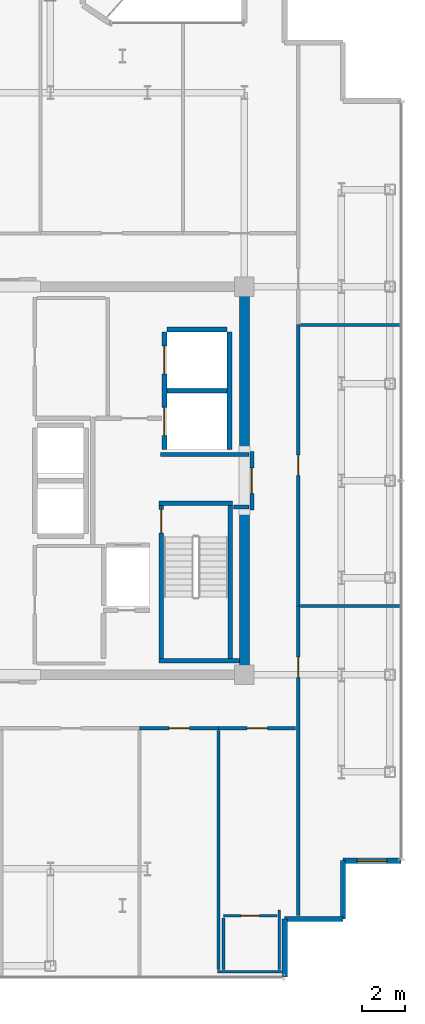
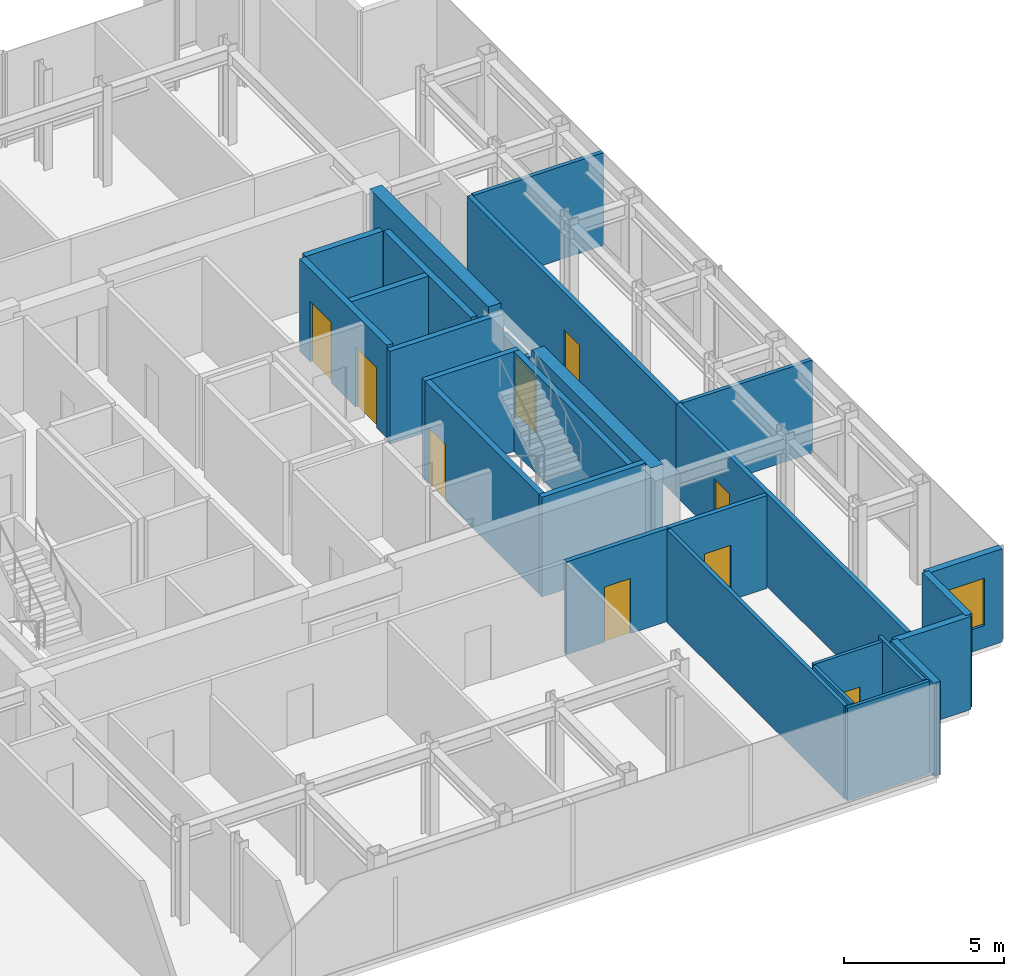
# One storey, part 15 of 18: 28 walls, 9 doors, 1 window, 10 openings.
"""IFC4 building model written with IfcOpenShell, lengths in metres."""

from ifc_helpers import new_model, si_unit, direction, frame, frame_2d, origin, place, context, subcontext, project, spatial, rectangle, extrude, source, transform, mapped, material, layer, layer_set, type_object, element, fill, save


model = new_model("IFC4")

# Units and contexts
model_context = context("Model", 3, precision=1e-05, world=origin(), true_north=direction((0.0, 1.0)))
body_context = subcontext(model_context, "Body", "Model", "MODEL_VIEW")
ifc_project = project(units=[si_unit("LENGTHUNIT", "METRE"), si_unit("AREAUNIT", "SQUARE_METRE"), si_unit("VOLUMEUNIT", "CUBIC_METRE"), si_unit("PLANEANGLEUNIT", "RADIAN"), si_unit("MASSUNIT", "GRAM", prefix="KILO")], contexts=[model_context])

# Site, building, storey
site_placement = place(None, origin())
site = spatial("IfcSite", under=ifc_project, at=site_placement, CompositionType="ELEMENT")
building_placement = place(site_placement, origin())
building = spatial("IfcBuilding", under=site, at=building_placement, Name="Nefas-Gora Pilgrimage Tower", CompositionType="ELEMENT")
storey_placement = place(building_placement, frame((0.0, 0.0, 306.39990234375)))
storey = spatial("IfcBuildingStorey", under=building, at=storey_placement, Name="L77", CompositionType="ELEMENT", Elevation=306.39990234375)

# Walls
ifc_material_1 = material(Name="Concrete C50/60", Category="concrete")
ifc_layer_1 = layer(ifc_material_1, 0.449951171875)
ifc_layer_set_1 = layer_set([ifc_layer_1], Name="Concrete C50/60")
wall_type_1 = type_object("IfcWallType", Name="SW-CORE-450", PredefinedType="SHEAR", material=ifc_layer_set_1)
shared_shape_1 = source(origin(), body_context, "Body", "SweptSolid", [
    extrude(rectangle(XDim=7.4248046875, YDim=0.449951171875, at=frame_2d((3.71240234375, 0.0))), origin(), (0.0, 0.0, 1.0), 3.800048828125),
])
for number, where, z_axis, x_axis, name in (
    (1, (11.25, -8.77490234375, 0.0), (0.0, 0.0, 1.0), (0.0, 1.0, 0.0), "L77 Core Shear Wall E-South"),
    (2, (11.25, 1.35009765625, 0.0), (0.0, 0.0, 1.0), (0.0, 1.0, 0.0), "L77 Core Shear Wall E-North"),
):
    element("IfcWall", number, at=place(storey_placement, frame(where, z_axis=z_axis, x_axis=x_axis)), inside=storey, type_object=wall_type_1, Name=name, PredefinedType="SHEAR", context=body_context, shape_type="MappedRepresentation", body=[
        mapped(shared_shape_1, transform((0.0, 0.0, 0.0), x_axis=(1.0, 0.0, 0.0), y_axis=(0.0, 1.0, 0.0), z_axis=(0.0, 0.0, 1.0), scale=1.0)),
    ])

# Wall, opening, window
ifc_material_2 = material(Name="Precast concrete C45/55", Category="concrete")
ifc_layer_2 = layer(ifc_material_2, 0.239990234375)
ifc_layer_set_2 = layer_set([ifc_layer_2], Name="Precast concrete C45/55")
wall_type_2 = type_object("IfcWallType", Name="EW-SERR-240", PredefinedType="SHEAR", material=ifc_layer_set_2)
shared_shape_2 = source(origin(), body_context, "Body", "SweptSolid", [
    extrude(rectangle(XDim=2.699951171875, YDim=0.239990234375, at=frame_2d((1.35009765625, 0.0))), origin(), (0.0, 0.0, 1.0), 3.550048828125),
])
wall_1_placement = place(storey_placement, frame((15.820068359375, -17.6201171875, 0.0), z_axis=(0.0, 0.0, 1.0), x_axis=(1.0, 0.0, 0.0)))
wall_1 = element("IfcWall", 3, at=wall_1_placement, inside=storey, type_object=wall_type_2, Name="L77 Serrated Corner Shear Pier Wall 1", PredefinedType="SHEAR", context=body_context, shape_type="MappedRepresentation", body=[
    mapped(shared_shape_2, transform((0.0, 0.0, 0.0), x_axis=(1.0, 0.0, 0.0), y_axis=(0.0, 1.0, 0.0), z_axis=(0.0, 0.0, 1.0), scale=1.0)),
])
opening_1_placement = place(wall_1_placement, frame((0.64990234375, 0.0, 0.85009765625)))
opening_1 = element("IfcOpeningElement", 4, at=opening_1_placement, cuts=wall_1, Name="Opening W-V2", PredefinedType="OPENING", context=body_context, shape_type="SweptSolid", body=[
    extrude(rectangle(XDim=1.39990234375, YDim=1.800048828125, at=frame_2d((0.699951171875, 0.89990234375))), frame((0.0, 0.1298828125, 0.0), z_axis=(0.0, -1.0, 0.0), x_axis=(1.0, 0.0, 0.0)), (0.0, 0.0, 1.0), 0.260009765625),
])
ifc_material_3 = material(Name="Dark ceramic-fritted operable aluminium-glass window", Category="aluminium")
window_type = type_object("IfcWindowType", Name="WIN-VENT-1400x1800", PartitioningType="SINGLE_PANEL", PredefinedType="WINDOW", material=ifc_material_3)
shared_shape_3 = source(origin(), body_context, "Body", "SweptSolid", [
    extrude(rectangle(XDim=1.39990234375, YDim=1.800048828125, at=frame_2d((0.699951171875, 0.89990234375))), frame((0.0, 0.030029296875, 0.0), z_axis=(0.0, -1.0, 0.0), x_axis=(1.0, 0.0, 0.0)), (0.0, 0.0, 1.0), 0.06005859375),
])
window_placement = place(opening_1_placement, origin())
window = element("IfcWindow", 5, at=window_placement, inside=storey, type_object=window_type, Name="L77 Operable Parallel-Outswing Window 1", OverallHeight=1.800048828125, OverallWidth=1.39990234375, PartitioningType="SINGLE_PANEL", PredefinedType="WINDOW", context=body_context, shape_type="MappedRepresentation", body=[
    mapped(shared_shape_3, transform((0.0, 0.0, 0.0), x_axis=(1.0, 0.0, 0.0), y_axis=(0.0, 1.0, 0.0), z_axis=(0.0, 0.0, 1.0), scale=1.0)),
])
fill(opening_1, window)

# Walls
for number, where, z_axis, x_axis, name in (
    (6, (13.1201171875, -23.02001953125, 0.0), (0.0, 0.0, 1.0), (0.0, 1.0, 0.0), "L77 Serrated Corner Shear Pier Wall 25"),
    (7, (13.1201171875, -20.320068359375, 0.0), (0.0, 0.0, 1.0), (1.0, 0.0, 0.0), "L77 Serrated Corner Shear Pier Wall 26"),
    (8, (15.820068359375, -20.320068359375, 0.0), (0.0, 0.0, 1.0), (0.0, 1.0, 0.0), "L77 Serrated Corner Shear Pier Wall 27"),
):
    element("IfcWall", number, at=place(storey_placement, frame(where, z_axis=z_axis, x_axis=x_axis)), inside=storey, type_object=wall_type_2, Name=name, PredefinedType="SHEAR", context=body_context, shape_type="MappedRepresentation", body=[
        mapped(shared_shape_2, transform((0.0, 0.0, 0.0), x_axis=(1.0, 0.0, 0.0), y_axis=(0.0, 1.0, 0.0), z_axis=(0.0, 0.0, 1.0), scale=1.0)),
    ])
ifc_material_4 = material(Name="Concrete C45/55", Category="concrete")
ifc_layer_3 = layer(ifc_material_4, 0.199951171875)
ifc_layer_set_3 = layer_set([ifc_layer_3], Name="Concrete C45/55")
wall_type_3 = type_object("IfcWallType", Name="IW-STAIR-200", PredefinedType="SOLIDWALL", material=ifc_layer_set_3)
shared_shape_4 = source(origin(), body_context, "Body", "SweptSolid", [
    extrude(rectangle(XDim=3.39990234375, YDim=0.199951171875, at=frame_2d((1.699951171875, 0.0))), origin(), (0.0, 0.0, 1.0), 3.800048828125),
])
wall_2_placement = place(storey_placement, frame((7.300048828125, -1.050048828125, 0.0), z_axis=(0.0, 0.0, 1.0), x_axis=(1.0, 0.0, 0.0)))
element("IfcWall", 9, at=wall_2_placement, inside=storey, type_object=wall_type_3, Name="L77 Stairwell Shear Wall ST-02-near", PredefinedType="SOLIDWALL", context=body_context, shape_type="MappedRepresentation", body=[
    mapped(shared_shape_4, transform((0.0, 0.0, 0.0), x_axis=(1.0, 0.0, 0.0), y_axis=(0.0, 1.0, 0.0), z_axis=(0.0, 0.0, 1.0), scale=1.0)),
])

# Wall, opening, door
shared_shape_5 = source(origin(), body_context, "Body", "SweptSolid", [
    extrude(rectangle(XDim=7.10009765625, YDim=0.199951171875, at=frame_2d((3.550048828125, 0.0))), origin(), (0.0, 0.0, 1.0), 3.800048828125),
])
wall_3_placement = place(storey_placement, frame((7.39990234375, -1.14990234375, 0.0), z_axis=(0.0, 0.0, 1.0), x_axis=(0.0, -1.0, 0.0)))
wall_3 = element("IfcWall", 10, at=wall_3_placement, inside=storey, type_object=wall_type_3, Name="L77 Stairwell Shear Wall ST-02-left", PredefinedType="SOLIDWALL", context=body_context, shape_type="MappedRepresentation", body=[
    mapped(shared_shape_5, transform((0.0, 0.0, 0.0), x_axis=(1.0, 0.0, 0.0), y_axis=(0.0, 1.0, 0.0), z_axis=(0.0, 0.0, 1.0), scale=1.0)),
])
opening_2_placement = place(wall_3_placement, frame((0.179931640625, 0.0, 0.0)))
opening_2 = element("IfcOpeningElement", 11, at=opening_2_placement, cuts=wall_3, Name="Opening ID-ST1", PredefinedType="OPENING", context=body_context, shape_type="SweptSolid", body=[
    extrude(rectangle(XDim=1.10009765625, YDim=2.14990234375, at=frame_2d((0.550048828125, 1.074951171875))), frame((0.0, 0.10986328125, 0.0), z_axis=(0.0, -1.0, 0.0), x_axis=(1.0, 0.0, 0.0)), (0.0, 0.0, 1.0), 0.219970703125),
])
ifc_material_5 = material(Name="Painted galvanised steel fire stair door", Category="steel")
door_type_1 = type_object("IfcDoorType", Name="DR-INT-STAIR-1100", OperationType="NOTDEFINED", PredefinedType="DOOR", material=ifc_material_5)
shared_shape_6 = source(origin(), body_context, "Body", "SweptSolid", [
    extrude(rectangle(XDim=1.10009765625, YDim=2.14990234375, at=frame_2d((0.550048828125, 1.074951171875))), frame((0.0, 0.02490234375, 0.0), z_axis=(0.0, -1.0, 0.0), x_axis=(1.0, 0.0, 0.0)), (0.0, 0.0, 1.0), 0.050048828125),
])
door_1_placement = place(opening_2_placement, origin())
door_1 = element("IfcDoor", 12, at=door_1_placement, inside=storey, type_object=door_type_1, Name="L77 Protected Exit Stair Door ST-02", OperationType="SINGLE_SWING_RIGHT", OverallHeight=2.14990234375, OverallWidth=1.10009765625, PredefinedType="DOOR", context=body_context, shape_type="MappedRepresentation", body=[
    mapped(shared_shape_6, transform((0.0, 0.0, 0.0), x_axis=(1.0, 0.0, 0.0), y_axis=(0.0, 1.0, 0.0), z_axis=(0.0, 0.0, 1.0), scale=1.0)),
])
fill(opening_2, door_1)

# Walls
wall_4_placement = place(storey_placement, frame((10.60009765625, -1.14990234375, 0.0), z_axis=(0.0, 0.0, 1.0), x_axis=(0.0, -1.0, 0.0)))
element("IfcWall", 13, at=wall_4_placement, inside=storey, type_object=wall_type_3, Name="L77 Stairwell Shear Wall ST-02-right", PredefinedType="SOLIDWALL", context=body_context, shape_type="MappedRepresentation", body=[
    mapped(shared_shape_5, transform((0.0, 0.0, 0.0), x_axis=(1.0, 0.0, 0.0), y_axis=(0.0, 1.0, 0.0), z_axis=(0.0, 0.0, 1.0), scale=1.0)),
])
shared_shape_7 = source(origin(), body_context, "Body", "SweptSolid", [
    extrude(rectangle(XDim=3.72998046875, YDim=0.199951171875, at=frame_2d((1.864990234375, 0.0))), origin(), (0.0, 0.0, 1.0), 3.800048828125),
])
wall_5_placement = place(storey_placement, frame((7.300048828125, -8.35009765625, 0.0), z_axis=(0.0, 0.0, 1.0), x_axis=(1.0, 0.0, 0.0)))
element("IfcWall", 14, at=wall_5_placement, inside=storey, type_object=wall_type_3, Name="L77 Stairwell Shear Wall ST-02-far", PredefinedType="SOLIDWALL", context=body_context, shape_type="MappedRepresentation", body=[
    mapped(shared_shape_7, transform((0.0, 0.0, 0.0), x_axis=(1.0, 0.0, 0.0), y_axis=(0.0, 1.0, 0.0), z_axis=(0.0, 0.0, 1.0), scale=1.0)),
])

# Wall, openings, doors
ifc_material_6 = material(Name="Concrete C40/50", Category="concrete")
ifc_layer_4 = layer(ifc_material_6, 0.219970703125)
ifc_layer_set_4 = layer_set([ifc_layer_4], Name="Concrete C40/50")
wall_type_4 = type_object("IfcWallType", Name="IW-SHAFT-220", PredefinedType="SOLIDWALL", material=ifc_layer_set_4)
shared_shape_8 = source(origin(), body_context, "Body", "SweptSolid", [
    extrude(rectangle(XDim=5.449951171875, YDim=0.219970703125, at=frame_2d((2.72509765625, 0.0))), origin(), (0.0, 0.0, 1.0), 3.53515625),
])
wall_6_placement = place(storey_placement, frame((7.5400390625, 6.89990234375, 0.0), z_axis=(0.0, 0.0, 1.0), x_axis=(0.0, -1.0, 0.0)))
wall_6 = element("IfcWall", 15, at=wall_6_placement, inside=storey, type_object=wall_type_4, Name="L77 Hoistway Wall SL-01-02-W", PredefinedType="SOLIDWALL", context=body_context, shape_type="MappedRepresentation", body=[
    mapped(shared_shape_8, transform((0.0, 0.0, 0.0), x_axis=(1.0, 0.0, 0.0), y_axis=(0.0, 1.0, 0.0), z_axis=(0.0, 0.0, 1.0), scale=1.0)),
])
opening_3_placement = place(wall_6_placement, frame((3.5, 0.0, 0.0)))
opening_3 = element("IfcOpeningElement", 16, at=opening_3_placement, cuts=wall_6, Name="Opening LD-SV", PredefinedType="OPENING", context=body_context, shape_type="SweptSolid", body=[
    extrude(rectangle(XDim=1.300048828125, YDim=2.300048828125, at=frame_2d((0.64990234375, 1.14990234375))), frame((0.0, 0.119873046875, 0.0), z_axis=(0.0, -1.0, 0.0), x_axis=(1.0, 0.0, 0.0)), (0.0, 0.0, 1.0), 0.239990234375),
])
opening_4_placement = place(wall_6_placement, frame((0.64990234375, 0.0, 0.0)))
opening_4 = element("IfcOpeningElement", 17, at=opening_4_placement, cuts=wall_6, Name="Opening LD-SV", PredefinedType="OPENING", context=body_context, shape_type="SweptSolid", body=[
    extrude(rectangle(XDim=1.300048828125, YDim=2.300048828125, at=frame_2d((0.64990234375, 1.14990234375))), frame((0.0, 0.119873046875, 0.0), z_axis=(0.0, -1.0, 0.0), x_axis=(1.0, 0.0, 0.0)), (0.0, 0.0, 1.0), 0.239990234375),
])
ifc_material_7 = material(Name="Heavy goods sliding lift landing door")
door_type_2 = type_object("IfcDoorType", Name="DR-LIFT-SERV-1300", OperationType="SLIDING_TO_RIGHT", PredefinedType="DOOR", material=ifc_material_7)
shared_shape_9 = source(origin(), body_context, "Body", "SweptSolid", [
    extrude(rectangle(XDim=1.300048828125, YDim=2.300048828125, at=frame_2d((0.64990234375, 1.14990234375))), frame((0.0, 0.02490234375, 0.0), z_axis=(0.0, -1.0, 0.0), x_axis=(1.0, 0.0, 0.0)), (0.0, 0.0, 1.0), 0.050048828125),
])
door_2_placement = place(opening_3_placement, origin())
door_2 = element("IfcDoor", 18, at=door_2_placement, inside=storey, type_object=door_type_2, Name="L77 Sliding Lift Landing Door SL-01", OperationType="SLIDING_TO_RIGHT", OverallHeight=2.300048828125, OverallWidth=1.300048828125, PredefinedType="DOOR", context=body_context, shape_type="MappedRepresentation", body=[
    mapped(shared_shape_9, transform((0.0, 0.0, 0.0), x_axis=(1.0, 0.0, 0.0), y_axis=(0.0, 1.0, 0.0), z_axis=(0.0, 0.0, 1.0), scale=1.0)),
])
fill(opening_3, door_2)
door_3_placement = place(opening_4_placement, origin())
door_3 = element("IfcDoor", 19, at=door_3_placement, inside=storey, type_object=door_type_2, Name="L77 Sliding Lift Landing Door SL-02", OperationType="SLIDING_TO_RIGHT", OverallHeight=2.300048828125, OverallWidth=1.300048828125, PredefinedType="DOOR", context=body_context, shape_type="MappedRepresentation", body=[
    mapped(shared_shape_9, transform((0.0, 0.0, 0.0), x_axis=(1.0, 0.0, 0.0), y_axis=(0.0, 1.0, 0.0), z_axis=(0.0, 0.0, 1.0), scale=1.0)),
])
fill(opening_4, door_3)

# Walls
wall_7_placement = place(storey_placement, frame((10.56005859375, 1.449951171875, 0.0), z_axis=(0.0, 0.0, 1.0), x_axis=(0.0, 1.0, 0.0)))
element("IfcWall", 20, at=wall_7_placement, inside=storey, type_object=wall_type_4, Name="L77 Hoistway Wall SL-01-02-E", PredefinedType="SOLIDWALL", context=body_context, shape_type="MappedRepresentation", body=[
    mapped(shared_shape_8, transform((0.0, 0.0, 0.0), x_axis=(1.0, 0.0, 0.0), y_axis=(0.0, 1.0, 0.0), z_axis=(0.0, 0.0, 1.0), scale=1.0)),
])
shared_shape_10 = source(origin(), body_context, "Body", "SweptSolid", [
    extrude(rectangle(XDim=2.780029296875, YDim=0.219970703125, at=frame_2d((1.39013671875, 0.0))), origin(), (0.0, 0.0, 1.0), 3.53515625),
])
for number, where, z_axis, x_axis, name in (
    (21, (7.659912109375, 4.175048828125, 0.0), (0.0, 0.0, 1.0), (1.0, 0.0, 0.0), "L77 Hoistway Wall SL-01-02-DIV"),
    (22, (10.43994140625, 7.010009765625, 0.0), (0.0, 0.0, 1.0), (-1.0, 0.0, 0.0), "L77 Hoistway Wall SL-02-N"),
):
    element("IfcWall", number, at=place(storey_placement, frame(where, z_axis=z_axis, x_axis=x_axis)), inside=storey, type_object=wall_type_4, Name=name, PredefinedType="SOLIDWALL", context=body_context, shape_type="MappedRepresentation", body=[
        mapped(shared_shape_10, transform((0.0, 0.0, 0.0), x_axis=(1.0, 0.0, 0.0), y_axis=(0.0, 1.0, 0.0), z_axis=(0.0, 0.0, 1.0), scale=1.0)),
    ])
ifc_material_8 = material(Name="Gypsum fire-rated shaftwall")
ifc_layer_5 = layer(ifc_material_8, 0.199951171875)
ifc_layer_set_5 = layer_set([ifc_layer_5], Name="Gypsum fire-rated shaftwall")
wall_type_5 = type_object("IfcWallType", Name="IW-FFLOB-200", PredefinedType="PARTITIONING", material=ifc_layer_set_5)
shared_shape_11 = source(origin(), body_context, "Body", "SweptSolid", [
    extrude(rectangle(XDim=0.719970703125, YDim=0.199951171875, at=frame_2d((0.35986328125, 0.0))), origin(), (0.0, 0.0, 1.0), 3.53515625),
])
wall_8_placement = place(storey_placement, frame((10.739990234375, -1.219970703125, 0.0), z_axis=(0.0, 0.0, 1.0), x_axis=(1.0, 0.0, 0.0)))
element("IfcWall", 23, at=wall_8_placement, inside=storey, type_object=wall_type_5, Name="L77 FF Lobby East Throat S Wall 15", PredefinedType="PARTITIONING", context=body_context, shape_type="MappedRepresentation", body=[
    mapped(shared_shape_11, transform((0.0, 0.0, 0.0), x_axis=(1.0, 0.0, 0.0), y_axis=(0.0, 1.0, 0.0), z_axis=(0.0, 0.0, 1.0), scale=1.0)),
])
shared_shape_12 = source(origin(), body_context, "Body", "SweptSolid", [
    extrude(rectangle(XDim=4.10986328125, YDim=0.199951171875, at=frame_2d((2.054931640625, 0.0))), origin(), (0.0, 0.0, 1.0), 3.53515625),
])
wall_9_placement = place(storey_placement, frame((7.35009765625, 1.219970703125, 0.0), z_axis=(0.0, 0.0, 1.0), x_axis=(1.0, 0.0, 0.0)))
element("IfcWall", 24, at=wall_9_placement, inside=storey, type_object=wall_type_5, Name="L77 FF Lobby East Throat N Wall 14", PredefinedType="PARTITIONING", context=body_context, shape_type="MappedRepresentation", body=[
    mapped(shared_shape_12, transform((0.0, 0.0, 0.0), x_axis=(1.0, 0.0, 0.0), y_axis=(0.0, 1.0, 0.0), z_axis=(0.0, 0.0, 1.0), scale=1.0)),
])

# Wall, opening, door
ifc_material_9 = material(Name="Gypsum acoustic stud partition")
ifc_layer_6 = layer(ifc_material_9, 0.159912109375)
ifc_layer_set_6 = layer_set([ifc_layer_6], Name="Gypsum acoustic stud partition")
wall_type_6 = type_object("IfcWallType", Name="IW-CORR-160", PredefinedType="PARTITIONING", material=ifc_layer_set_6)
shared_shape_13 = source(origin(), body_context, "Body", "SweptSolid", [
    extrude(rectangle(XDim=3.6650390625, YDim=0.159912109375, at=frame_2d((1.83251953125, 0.0))), origin(), (0.0, 0.0, 1.0), 3.53515625),
])
wall_10_placement = place(storey_placement, frame((6.39501953125, -11.469970703125, 0.0), z_axis=(0.0, 0.0, 1.0), x_axis=(1.0, 0.0, 0.0)))
wall_10 = element("IfcWall", 25, at=wall_10_placement, inside=storey, type_object=wall_type_6, Name="L77 Pilgrim Contemplative Lounge Partition Wall 71", PredefinedType="PARTITIONING", context=body_context, shape_type="MappedRepresentation", body=[
    mapped(shared_shape_13, transform((0.0, 0.0, 0.0), x_axis=(1.0, 0.0, 0.0), y_axis=(0.0, 1.0, 0.0), z_axis=(0.0, 0.0, 1.0), scale=1.0)),
])
opening_5_placement = place(wall_10_placement, frame((1.357421875, 0.0, 0.0)))
opening_5 = element("IfcOpeningElement", 26, at=opening_5_placement, cuts=wall_10, Name="Opening ID-GR1", PredefinedType="OPENING", context=body_context, shape_type="SweptSolid", body=[
    extrude(rectangle(XDim=0.949951171875, YDim=2.10009765625, at=frame_2d((0.47509765625, 1.050048828125))), frame((0.0, 0.08984375, 0.0), z_axis=(0.0, -1.0, 0.0), x_axis=(1.0, 0.0, 0.0)), (0.0, 0.0, 1.0), 0.179931640625),
])
ifc_material_10 = material(Name="Solid core oak fire-rated guest entrance door")
door_type_3 = type_object("IfcDoorType", Name="DR-INT-GUEST-950", OperationType="NOTDEFINED", PredefinedType="DOOR", material=ifc_material_10)
shared_shape_14 = source(origin(), body_context, "Body", "SweptSolid", [
    extrude(rectangle(XDim=0.949951171875, YDim=2.10009765625, at=frame_2d((0.47509765625, 1.050048828125))), frame((0.0, 0.02490234375, 0.0), z_axis=(0.0, -1.0, 0.0), x_axis=(1.0, 0.0, 0.0)), (0.0, 0.0, 1.0), 0.050048828125),
])
door_4_placement = place(opening_5_placement, origin())
door_4 = element("IfcDoor", 27, at=door_4_placement, inside=storey, type_object=door_type_3, Name="L77 Pilgrim Contemplative Lounge Door 32", OperationType="SINGLE_SWING_RIGHT", OverallHeight=2.10009765625, OverallWidth=0.949951171875, PredefinedType="DOOR", context=body_context, shape_type="MappedRepresentation", body=[
    mapped(shared_shape_14, transform((0.0, 0.0, 0.0), x_axis=(1.0, 0.0, 0.0), y_axis=(0.0, 1.0, 0.0), z_axis=(0.0, 0.0, 1.0), scale=1.0)),
])
fill(opening_5, door_4)

shared_shape_15 = source(origin(), body_context, "Body", "SweptSolid", [
    extrude(rectangle(XDim=3.56005859375, YDim=0.159912109375, at=frame_2d((1.780029296875, 0.0))), origin(), (0.0, 0.0, 1.0), 3.53515625),
])
wall_11_placement = place(storey_placement, frame((10.06005859375, -11.469970703125, 0.0), z_axis=(0.0, 0.0, 1.0), x_axis=(1.0, 0.0, 0.0)))
wall_11 = element("IfcWall", 28, at=wall_11_placement, inside=storey, type_object=wall_type_6, Name="L77 Pilgrim Sanctuary Suite Partition Wall 73", PredefinedType="PARTITIONING", context=body_context, shape_type="MappedRepresentation", body=[
    mapped(shared_shape_15, transform((0.0, 0.0, 0.0), x_axis=(1.0, 0.0, 0.0), y_axis=(0.0, 1.0, 0.0), z_axis=(0.0, 0.0, 1.0), scale=1.0)),
])
opening_6_placement = place(wall_11_placement, frame((1.304931640625, 0.0, 0.0)))
opening_6 = element("IfcOpeningElement", 29, at=opening_6_placement, cuts=wall_11, Name="Opening ID-GR1", PredefinedType="OPENING", context=body_context, shape_type="SweptSolid", body=[
    extrude(rectangle(XDim=0.949951171875, YDim=2.10009765625, at=frame_2d((0.47509765625, 1.050048828125))), frame((0.0, 0.08984375, 0.0), z_axis=(0.0, -1.0, 0.0), x_axis=(1.0, 0.0, 0.0)), (0.0, 0.0, 1.0), 0.179931640625),
])
door_5_placement = place(opening_6_placement, origin())
door_5 = element("IfcDoor", 30, at=door_5_placement, inside=storey, type_object=door_type_3, Name="L77 Pilgrim Sanctuary Suite Door 33", OperationType="SINGLE_SWING_LEFT", OverallHeight=2.10009765625, OverallWidth=0.949951171875, PredefinedType="DOOR", context=body_context, shape_type="MappedRepresentation", body=[
    mapped(shared_shape_14, transform((0.0, 0.0, 0.0), x_axis=(1.0, 0.0, 0.0), y_axis=(0.0, 1.0, 0.0), z_axis=(0.0, 0.0, 1.0), scale=1.0)),
])
fill(opening_6, door_5)

shared_shape_16 = source(origin(), body_context, "Body", "SweptSolid", [
    extrude(rectangle(XDim=2.7001953125, YDim=0.199951171875, at=frame_2d((1.35009765625, 0.0))), origin(), (0.0, 0.0, 1.0), 2.625),
])
wall_12_placement = place(storey_placement, frame((11.60009765625, -1.35009765625, 0.0), z_axis=(0.0, 0.0, 1.0), x_axis=(0.0, 1.0, 0.0)))
wall_12 = element("IfcWall", 31, at=wall_12_placement, inside=storey, type_object=wall_type_5, Name="L77 FF Lobby East Portal Wall 10", PredefinedType="PARTITIONING", context=body_context, shape_type="MappedRepresentation", body=[
    mapped(shared_shape_16, transform((0.0, 0.0, 0.0), x_axis=(1.0, 0.0, 0.0), y_axis=(0.0, 1.0, 0.0), z_axis=(0.0, 0.0, 1.0), scale=1.0)),
])
opening_7_placement = place(wall_12_placement, frame((0.75, 0.0, 0.0)))
opening_7 = element("IfcOpeningElement", 32, at=opening_7_placement, cuts=wall_12, Name="Opening ID-FF1", PredefinedType="OPENING", context=body_context, shape_type="SweptSolid", body=[
    extrude(rectangle(XDim=1.199951171875, YDim=2.14990234375, at=frame_2d((0.60009765625, 1.074951171875))), frame((0.0, 0.10986328125, 0.0), z_axis=(0.0, -1.0, 0.0), x_axis=(1.0, 0.0, 0.0)), (0.0, 0.0, 1.0), 0.219970703125),
])
ifc_material_11 = material(Name="Smoke-sealed steel firefighting lobby door", Category="steel")
door_type_4 = type_object("IfcDoorType", Name="DR-INT-FFLOB-1200", OperationType="NOTDEFINED", PredefinedType="DOOR", material=ifc_material_11)
shared_shape_17 = source(origin(), body_context, "Body", "SweptSolid", [
    extrude(rectangle(XDim=1.199951171875, YDim=2.14990234375, at=frame_2d((0.60009765625, 1.074951171875))), frame((0.0, 0.02490234375, 0.0), z_axis=(0.0, -1.0, 0.0), x_axis=(1.0, 0.0, 0.0)), (0.0, 0.0, 1.0), 0.050048828125),
])
door_6_placement = place(opening_7_placement, origin())
door_6 = element("IfcDoor", 33, at=door_6_placement, inside=storey, type_object=door_type_4, Name="L77 FF Lobby East Portal Door 4", OperationType="SINGLE_SWING_RIGHT", OverallHeight=2.14990234375, OverallWidth=1.199951171875, PredefinedType="DOOR", context=body_context, shape_type="MappedRepresentation", body=[
    mapped(shared_shape_17, transform((0.0, 0.0, 0.0), x_axis=(1.0, 0.0, 0.0), y_axis=(0.0, 1.0, 0.0), z_axis=(0.0, 0.0, 1.0), scale=1.0)),
])
fill(opening_7, door_6)

# Walls
ifc_material_12 = material(Name="Gypsum twin-stud partition")
ifc_layer_7 = layer(ifc_material_12, 0.139892578125)
ifc_layer_set_7 = layer_set([ifc_layer_7], Name="Gypsum twin-stud partition")
wall_type_7 = type_object("IfcWallType", Name="IW-UNIT-140", PredefinedType="PARTITIONING", material=ifc_layer_set_7)
shared_shape_18 = source(origin(), body_context, "Body", "SweptSolid", [
    extrude(rectangle(XDim=4.679931640625, YDim=0.139892578125, at=frame_2d((2.33984375, 0.0))), origin(), (0.0, 0.0, 1.0), 3.53515625),
])
for number, where, z_axis, x_axis, name in (
    (34, (13.860107421875, -5.804931640625, 0.0), (0.0, 0.0, 1.0), (1.0, 0.0, 0.0), "L77 Pilgrim Fellowship Seminar Room Partition Wall 49"),
    (35, (13.860107421875, 7.2275390625, 0.0), (0.0, 0.0, 1.0), (1.0, 0.0, 0.0), "L77 Pilgrim Contemplative Lounge Partition Wall 51"),
):
    element("IfcWall", number, at=place(storey_placement, frame(where, z_axis=z_axis, x_axis=x_axis)), inside=storey, type_object=wall_type_7, Name=name, PredefinedType="PARTITIONING", context=body_context, shape_type="MappedRepresentation", body=[
        mapped(shared_shape_18, transform((0.0, 0.0, 0.0), x_axis=(1.0, 0.0, 0.0), y_axis=(0.0, 1.0, 0.0), z_axis=(0.0, 0.0, 1.0), scale=1.0)),
    ])
ifc_material_13 = material(Name="Moisture-resistant fire-rated gypsum partition")
ifc_layer_8 = layer(ifc_material_13, 0.1201171875)
ifc_layer_set_8 = layer_set([ifc_layer_8], Name="Moisture-resistant fire-rated gypsum partition")
wall_type_8 = type_object("IfcWallType", Name="IW-WET-120", PredefinedType="PLUMBINGWALL", material=ifc_layer_set_8)
shared_shape_19 = source(origin(), body_context, "Body", "SweptSolid", [
    extrude(rectangle(XDim=2.9599609375, YDim=0.1201171875, at=frame_2d((1.47998046875, 0.0))), origin(), (0.0, 0.0, 1.0), 3.53515625),
])
wall_13_placement = place(storey_placement, frame((10.0, -22.760009765625, 0.0), z_axis=(0.0, 0.0, 1.0), x_axis=(1.0, 0.0, 0.0)))
element("IfcWall", 36, at=wall_13_placement, inside=storey, type_object=wall_type_8, Name="L77 En-Suite Bathroom Wall 19", PredefinedType="PLUMBINGWALL", context=body_context, shape_type="MappedRepresentation", body=[
    mapped(shared_shape_19, transform((0.0, 0.0, 0.0), x_axis=(1.0, 0.0, 0.0), y_axis=(0.0, 1.0, 0.0), z_axis=(0.0, 0.0, 1.0), scale=1.0)),
])
shared_shape_20 = source(origin(), body_context, "Body", "SweptSolid", [
    extrude(rectangle(XDim=2.760009765625, YDim=0.1201171875, at=frame_2d((1.3798828125, 0.0))), origin(), (0.0, 0.0, 1.0), 3.53515625),
])
wall_14_placement = place(storey_placement, frame((12.860107421875, -22.659912109375, 0.0), z_axis=(0.0, 0.0, 1.0), x_axis=(0.0, 1.0, 0.0)))
element("IfcWall", 37, at=wall_14_placement, inside=storey, type_object=wall_type_8, Name="L77 En-Suite Bathroom Wall 20", PredefinedType="PLUMBINGWALL", context=body_context, shape_type="MappedRepresentation", body=[
    mapped(shared_shape_20, transform((0.0, 0.0, 0.0), x_axis=(1.0, 0.0, 0.0), y_axis=(0.0, 1.0, 0.0), z_axis=(0.0, 0.0, 1.0), scale=1.0)),
])

# Wall, opening, door
shared_shape_21 = source(origin(), body_context, "Body", "SweptSolid", [
    extrude(rectangle(XDim=2.47998046875, YDim=0.1201171875, at=frame_2d((1.239990234375, 0.0))), origin(), (0.0, 0.0, 1.0), 3.53515625),
])
wall_15_placement = place(storey_placement, frame((10.280029296875, -20.179931640625, 0.0), z_axis=(0.0, 0.0, 1.0), x_axis=(1.0, 0.0, 0.0)))
wall_15 = element("IfcWall", 38, at=wall_15_placement, inside=storey, type_object=wall_type_8, Name="L77 En-Suite Bathroom Wall 21", PredefinedType="PLUMBINGWALL", context=body_context, shape_type="MappedRepresentation", body=[
    mapped(shared_shape_21, transform((0.0, 0.0, 0.0), x_axis=(1.0, 0.0, 0.0), y_axis=(0.0, 1.0, 0.0), z_axis=(0.0, 0.0, 1.0), scale=1.0)),
])
opening_8_placement = place(wall_15_placement, frame((0.81494140625, 0.0, 0.0)))
opening_8 = element("IfcOpeningElement", 39, at=opening_8_placement, cuts=wall_15, Name="Opening ID-BT1", PredefinedType="OPENING", context=body_context, shape_type="SweptSolid", body=[
    extrude(rectangle(XDim=0.85009765625, YDim=2.10009765625, at=frame_2d((0.425048828125, 1.050048828125))), frame((0.0, 0.070068359375, 0.0), z_axis=(0.0, -1.0, 0.0), x_axis=(1.0, 0.0, 0.0)), (0.0, 0.0, 1.0), 0.14013671875),
])
ifc_material_14 = material(Name="Moisture-resistant fire-rated timber door", Category="wood")
door_type_5 = type_object("IfcDoorType", Name="DR-INT-BATH-850", OperationType="NOTDEFINED", PredefinedType="DOOR", material=ifc_material_14)
shared_shape_22 = source(origin(), body_context, "Body", "SweptSolid", [
    extrude(rectangle(XDim=0.85009765625, YDim=2.10009765625, at=frame_2d((0.425048828125, 1.050048828125))), frame((0.0, 0.02490234375, 0.0), z_axis=(0.0, -1.0, 0.0), x_axis=(1.0, 0.0, 0.0)), (0.0, 0.0, 1.0), 0.050048828125),
])
door_7_placement = place(opening_8_placement, origin())
door_7 = element("IfcDoor", 40, at=door_7_placement, inside=storey, type_object=door_type_5, Name="L77 En-Suite Bathroom Door 8", OperationType="SINGLE_SWING_RIGHT", OverallHeight=2.10009765625, OverallWidth=0.85009765625, PredefinedType="DOOR", context=body_context, shape_type="MappedRepresentation", body=[
    mapped(shared_shape_22, transform((0.0, 0.0, 0.0), x_axis=(1.0, 0.0, 0.0), y_axis=(0.0, 1.0, 0.0), z_axis=(0.0, 0.0, 1.0), scale=1.0)),
])
fill(opening_8, door_7)

# Wall
shared_shape_23 = source(origin(), body_context, "Body", "SweptSolid", [
    extrude(rectangle(XDim=2.3798828125, YDim=0.1201171875, at=frame_2d((1.18994140625, 0.0))), origin(), (0.0, 0.0, 1.0), 3.53515625),
])
wall_16_placement = place(storey_placement, frame((10.280029296875, -22.659912109375, 0.0), z_axis=(0.0, 0.0, 1.0), x_axis=(0.0, 1.0, 0.0)))
element("IfcWall", 41, at=wall_16_placement, inside=storey, type_object=wall_type_8, Name="L77 En-Suite Bathroom Wall 22", PredefinedType="PLUMBINGWALL", context=body_context, shape_type="MappedRepresentation", body=[
    mapped(shared_shape_23, transform((0.0, 0.0, 0.0), x_axis=(1.0, 0.0, 0.0), y_axis=(0.0, 1.0, 0.0), z_axis=(0.0, 0.0, 1.0), scale=1.0)),
])

# Wall, opening, door
shared_shape_24 = source(origin(), body_context, "Body", "SweptSolid", [
    extrude(rectangle(XDim=14.364990234375, YDim=0.159912109375, at=frame_2d((7.1826171875, 0.0))), origin(), (0.0, 0.0, 1.0), 3.53515625),
])
wall_17_placement = place(storey_placement, frame((13.739990234375, -20.159912109375, 0.0), z_axis=(0.0, 0.0, 1.0), x_axis=(0.0, 1.0, 0.0)))
wall_17 = element("IfcWall", 42, at=wall_17_placement, inside=storey, type_object=wall_type_6, Name="L77 Pilgrim Fellowship Seminar Room Partition Wall 48", PredefinedType="PARTITIONING", context=body_context, shape_type="MappedRepresentation", body=[
    mapped(shared_shape_24, transform((0.0, 0.0, 0.0), x_axis=(1.0, 0.0, 0.0), y_axis=(0.0, 1.0, 0.0), z_axis=(0.0, 0.0, 1.0), scale=1.0)),
])
opening_9_placement = place(wall_17_placement, frame((11.032470703125, 0.0, 0.0)))
opening_9 = element("IfcOpeningElement", 43, at=opening_9_placement, cuts=wall_17, Name="Opening ID-GR1", PredefinedType="OPENING", context=body_context, shape_type="SweptSolid", body=[
    extrude(rectangle(XDim=0.949951171875, YDim=2.10009765625, at=frame_2d((0.47509765625, 1.050048828125))), frame((0.0, 0.08984375, 0.0), z_axis=(0.0, -1.0, 0.0), x_axis=(1.0, 0.0, 0.0)), (0.0, 0.0, 1.0), 0.179931640625),
])
door_8_placement = place(opening_9_placement, origin())
door_8 = element("IfcDoor", 44, at=door_8_placement, inside=storey, type_object=door_type_3, Name="L77 Pilgrim Fellowship Seminar Room Door 21", OperationType="SINGLE_SWING_LEFT", OverallHeight=2.10009765625, OverallWidth=0.949951171875, PredefinedType="DOOR", context=body_context, shape_type="MappedRepresentation", body=[
    mapped(shared_shape_14, transform((0.0, 0.0, 0.0), x_axis=(1.0, 0.0, 0.0), y_axis=(0.0, 1.0, 0.0), z_axis=(0.0, 0.0, 1.0), scale=1.0)),
])
fill(opening_9, door_8)

shared_shape_25 = source(origin(), body_context, "Body", "SweptSolid", [
    extrude(rectangle(XDim=13.04248046875, YDim=0.159912109375, at=frame_2d((6.521240234375, 0.0))), origin(), (0.0, 0.0, 1.0), 3.53515625),
])
wall_18_placement = place(storey_placement, frame((13.739990234375, -5.804931640625, 0.0), z_axis=(0.0, 0.0, 1.0), x_axis=(0.0, 1.0, 0.0)))
wall_18 = element("IfcWall", 45, at=wall_18_placement, inside=storey, type_object=wall_type_6, Name="L77 Pilgrim Contemplative Lounge Partition Wall 50", PredefinedType="PARTITIONING", context=body_context, shape_type="MappedRepresentation", body=[
    mapped(shared_shape_25, transform((0.0, 0.0, 0.0), x_axis=(1.0, 0.0, 0.0), y_axis=(0.0, 1.0, 0.0), z_axis=(0.0, 0.0, 1.0), scale=1.0)),
])
opening_10_placement = place(wall_18_placement, frame((6.04638671875, 0.0, 0.0)))
opening_10 = element("IfcOpeningElement", 46, at=opening_10_placement, cuts=wall_18, Name="Opening ID-GR1", PredefinedType="OPENING", context=body_context, shape_type="SweptSolid", body=[
    extrude(rectangle(XDim=0.949951171875, YDim=2.10009765625, at=frame_2d((0.47509765625, 1.050048828125))), frame((0.0, 0.08984375, 0.0), z_axis=(0.0, -1.0, 0.0), x_axis=(1.0, 0.0, 0.0)), (0.0, 0.0, 1.0), 0.179931640625),
])
door_9_placement = place(opening_10_placement, origin())
door_9 = element("IfcDoor", 47, at=door_9_placement, inside=storey, type_object=door_type_3, Name="L77 Pilgrim Contemplative Lounge Door 22", OperationType="SINGLE_SWING_RIGHT", OverallHeight=2.10009765625, OverallWidth=0.949951171875, PredefinedType="DOOR", context=body_context, shape_type="MappedRepresentation", body=[
    mapped(shared_shape_14, transform((0.0, 0.0, 0.0), x_axis=(1.0, 0.0, 0.0), y_axis=(0.0, 1.0, 0.0), z_axis=(0.0, 0.0, 1.0), scale=1.0)),
])
fill(opening_10, door_9)

# Wall
shared_shape_26 = source(origin(), body_context, "Body", "SweptSolid", [
    extrude(rectangle(XDim=11.06982421875, YDim=0.139892578125, at=frame_2d((5.534912109375, 0.0))), origin(), (0.0, 0.0, 1.0), 3.53515625),
])
wall_19_placement = place(storey_placement, frame((10.050048828125, -22.659912109375, 0.0), z_axis=(0.0, 0.0, 1.0), x_axis=(0.0, 1.0, 0.0)))
element("IfcWall", 48, at=wall_19_placement, inside=storey, type_object=wall_type_7, Name="L77 Pilgrim Contemplative Lounge Partition Wall 72", PredefinedType="PARTITIONING", context=body_context, shape_type="MappedRepresentation", body=[
    mapped(shared_shape_26, transform((0.0, 0.0, 0.0), x_axis=(1.0, 0.0, 0.0), y_axis=(0.0, 1.0, 0.0), z_axis=(0.0, 0.0, 1.0), scale=1.0)),
])

save(model, "model.ifc")
